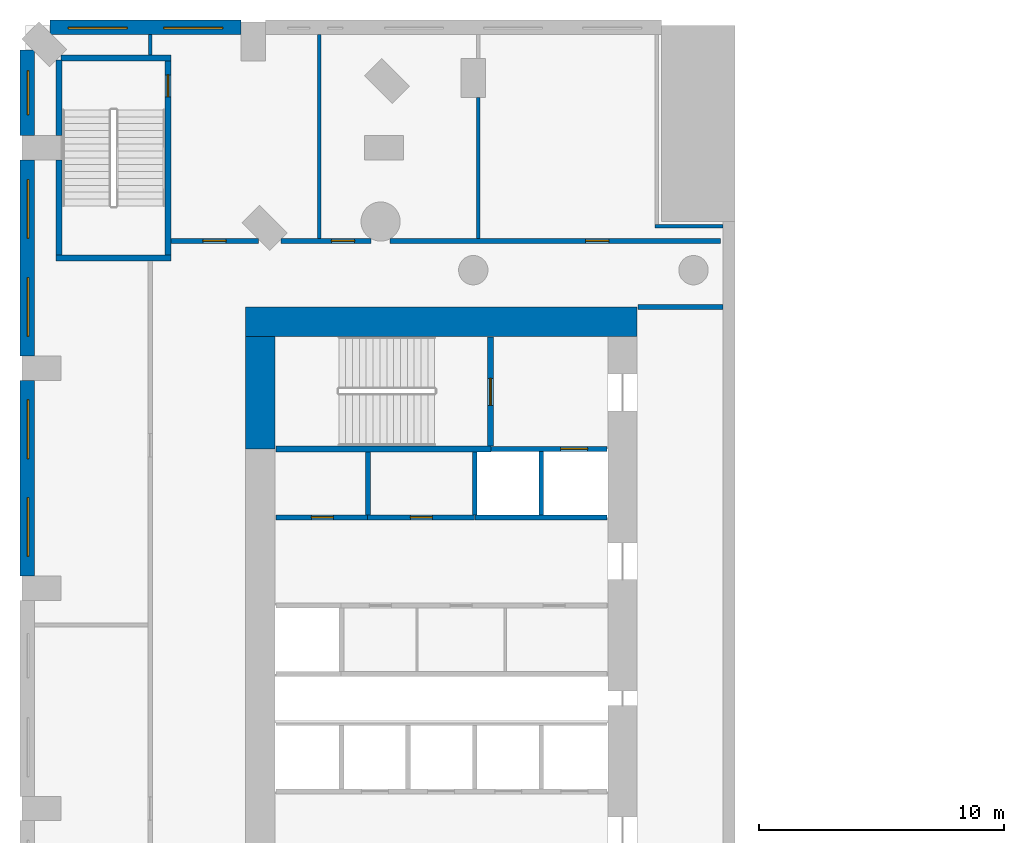
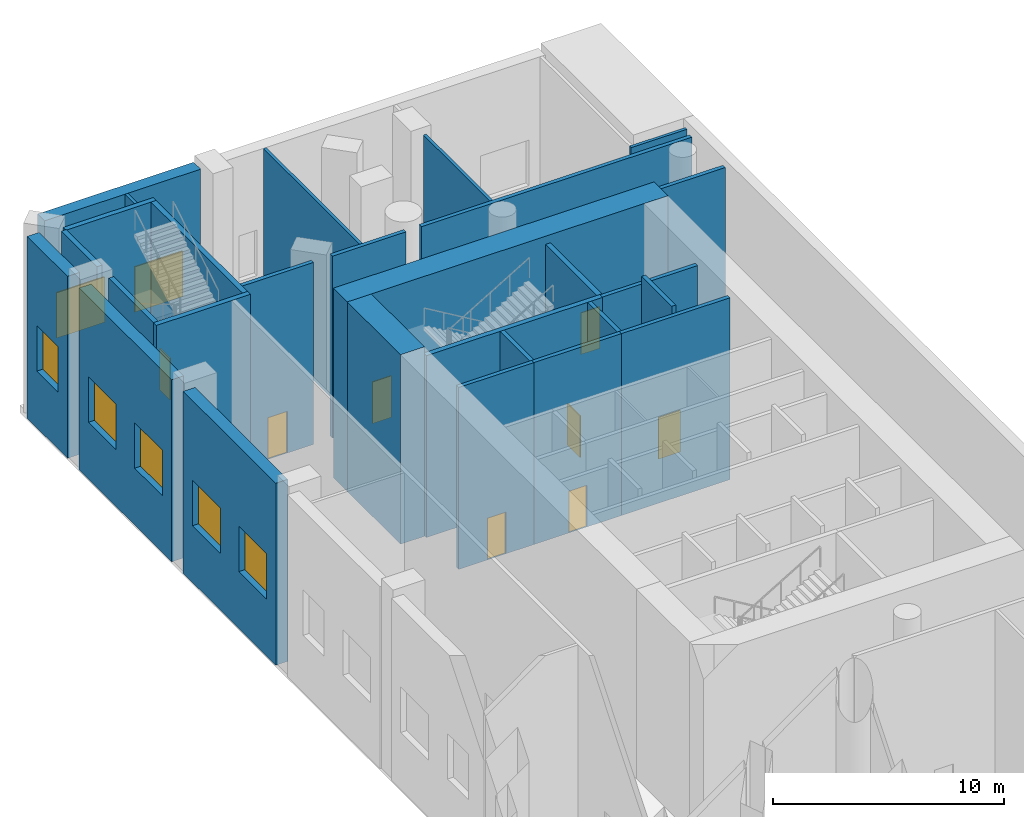
# One storey, part 6 of 17: 28 walls, 8 doors, 7 windows, 15 openings.
"""IFC4 building model written with IfcOpenShell, lengths in metres."""

from ifc_helpers import new_model, si_unit, direction, frame, frame_2d, origin, place, context, subcontext, project, spatial, rectangle, extrude, material, layer, layer_set, type_object, element, fill, save


model = new_model("IFC4")

# Units and contexts
model_context = context("Model", 3, precision=1e-05, world=origin(), true_north=direction((0.0, 1.0)))
body_context = subcontext(model_context, "Body", "Model", "MODEL_VIEW")
ifc_project = project(units=[si_unit("LENGTHUNIT", "METRE"), si_unit("AREAUNIT", "SQUARE_METRE"), si_unit("VOLUMEUNIT", "CUBIC_METRE"), si_unit("PLANEANGLEUNIT", "RADIAN"), si_unit("MASSUNIT", "GRAM", prefix="KILO")], contexts=[model_context])

# Site, building, storey
site_placement = place(None, origin())
site = spatial("IfcSite", under=ifc_project, at=site_placement, CompositionType="ELEMENT")
building_placement = place(site_placement, origin())
building = spatial("IfcBuilding", under=site, at=building_placement, Name="Cypress Arch Tower", CompositionType="ELEMENT")
storey_placement = place(building_placement, frame((0.0, 0.0, 19.0)))
storey = spatial("IfcBuildingStorey", under=building, at=storey_placement, Name="L02", CompositionType="ELEMENT", Elevation=19.0)

# Wall, openings, windows
ifc_material_1 = material(Name="Brick (red buff blend) on blockwork backing", Category="masonry")
ifc_layer_1 = layer(ifc_material_1, 0.60009765625)
ifc_layer_set_1 = layer_set([ifc_layer_1], Name="Brick base wall BW600")
wall_type_1 = type_object("IfcWallType", Name="Brick base wall BW600", PredefinedType="ELEMENTEDWALL", material=ifc_layer_set_1)
wall_1_placement = place(storey_placement, frame((-30.199951171875, 27.425048828125, 0.0), z_axis=(0.0, 0.0, 1.0), x_axis=(-1.0, 0.0, 0.0)))
wall_1 = element("IfcWall", 1, at=wall_1_placement, inside=storey, type_object=wall_type_1, Name="Brick wall L02 P03.2", PredefinedType="ELEMENTEDWALL", context=body_context, shape_type="SweptSolid", body=[
    extrude(rectangle(XDim=7.79296875, YDim=0.60009765625, at=frame_2d((3.896484375, 0.0))), origin(), (0.0, 0.0, 1.0), 9.60009765625),
])
opening_1_placement = place(wall_1_placement, frame((0.748291015625, 0.0, 3.0)))
opening_1 = element("IfcOpeningElement", 2, at=opening_1_placement, cuts=wall_1, Name="Opening W240P", PredefinedType="OPENING", context=body_context, shape_type="SweptSolid", body=[
    extrude(rectangle(XDim=2.39990234375, YDim=2.39990234375, at=frame_2d((1.199951171875, 1.199951171875))), frame((0.0, 0.31005859375, 0.0), z_axis=(0.0, -1.0, 0.0), x_axis=(1.0, 0.0, 0.0)), (0.0, 0.0, 1.0), 0.6201171875),
])
opening_2_placement = place(wall_1_placement, frame((4.644775390625, 0.0, 3.0)))
opening_2 = element("IfcOpeningElement", 3, at=opening_2_placement, cuts=wall_1, Name="Opening W240P", PredefinedType="OPENING", context=body_context, shape_type="SweptSolid", body=[
    extrude(rectangle(XDim=2.39990234375, YDim=2.39990234375, at=frame_2d((1.199951171875, 1.199951171875))), frame((0.0, 0.31005859375, 0.0), z_axis=(0.0, -1.0, 0.0), x_axis=(1.0, 0.0, 0.0)), (0.0, 0.0, 1.0), 0.6201171875),
])
ifc_material_2 = material(Name="Anodised aluminium, bronze finish, clear low-emissivity double glazing", Category="aluminium")
window_type_1 = type_object("IfcWindowType", Name="Window Podium 2400x2400", PartitioningType="SINGLE_PANEL", PredefinedType="WINDOW", material=ifc_material_2)
window_1_placement = place(opening_1_placement, origin())
window_1 = element("IfcWindow", 4, at=window_1_placement, inside=storey, type_object=window_type_1, Name="Window L02 P03.2.1", OverallHeight=2.39990234375, OverallWidth=2.39990234375, PartitioningType="SINGLE_PANEL", PredefinedType="WINDOW", context=body_context, shape_type="SweptSolid", body=[
    extrude(rectangle(XDim=2.39990234375, YDim=2.39990234375, at=frame_2d((1.199951171875, 1.199951171875))), frame((0.0, 0.06005859375, 0.0), z_axis=(0.0, -1.0, 0.0), x_axis=(1.0, 0.0, 0.0)), (0.0, 0.0, 1.0), 0.06005859375),
])
fill(opening_1, window_1)
window_2_placement = place(opening_2_placement, origin())
window_2 = element("IfcWindow", 5, at=window_2_placement, inside=storey, type_object=window_type_1, Name="Window L02 P03.2.2", OverallHeight=2.39990234375, OverallWidth=2.39990234375, PartitioningType="SINGLE_PANEL", PredefinedType="WINDOW", context=body_context, shape_type="SweptSolid", body=[
    extrude(rectangle(XDim=2.39990234375, YDim=2.39990234375, at=frame_2d((1.199951171875, 1.199951171875))), frame((0.0, 0.06005859375, 0.0), z_axis=(0.0, -1.0, 0.0), x_axis=(1.0, 0.0, 0.0)), (0.0, 0.0, 1.0), 0.06005859375),
])
fill(opening_2, window_2)

# Wall, opening, window
wall_2_placement = place(storey_placement, frame((-38.925048828125, 26.492919921875, 0.0), z_axis=(0.0, 0.0, 1.0), x_axis=(0.0, -1.0, 0.0)))
wall_2 = element("IfcWall", 6, at=wall_2_placement, inside=storey, type_object=wall_type_1, Name="Brick wall L02 P04.0", PredefinedType="ELEMENTEDWALL", context=body_context, shape_type="SweptSolid", body=[
    extrude(rectangle(XDim=3.492919921875, YDim=0.60009765625, at=frame_2d((1.74658203125, 0.0))), origin(), (0.0, 0.0, 1.0), 9.60009765625),
])
opening_3_placement = place(wall_2_placement, frame((0.846435546875, 0.0, 3.0)))
opening_3 = element("IfcOpeningElement", 7, at=opening_3_placement, cuts=wall_2, Name="Opening W180P", PredefinedType="OPENING", context=body_context, shape_type="SweptSolid", body=[
    extrude(rectangle(XDim=1.800048828125, YDim=2.39990234375, at=frame_2d((0.89990234375, 1.199951171875))), frame((0.0, 0.31005859375, 0.0), z_axis=(0.0, -1.0, 0.0), x_axis=(1.0, 0.0, 0.0)), (0.0, 0.0, 1.0), 0.6201171875),
])
ifc_material_3 = material(Name="Anodised aluminium, bronze finish, clear low-emissivity double glazing", Category="aluminium")
window_type_2 = type_object("IfcWindowType", Name="Window Podium 1800x2400", PartitioningType="SINGLE_PANEL", PredefinedType="WINDOW", material=ifc_material_3)
window_3_placement = place(opening_3_placement, origin())
window_3 = element("IfcWindow", 8, at=window_3_placement, inside=storey, type_object=window_type_2, Name="Window L02 P04.0.1", OverallHeight=2.39990234375, OverallWidth=1.800048828125, PartitioningType="SINGLE_PANEL", PredefinedType="WINDOW", context=body_context, shape_type="SweptSolid", body=[
    extrude(rectangle(XDim=1.800048828125, YDim=2.39990234375, at=frame_2d((0.89990234375, 1.199951171875))), frame((0.0, 0.06005859375, 0.0), z_axis=(0.0, -1.0, 0.0), x_axis=(1.0, 0.0, 0.0)), (0.0, 0.0, 1.0), 0.06005859375),
])
fill(opening_3, window_3)

# Wall, openings, windows
wall_3_placement = place(storey_placement, frame((-38.925048828125, 22.0, 0.0), z_axis=(0.0, 0.0, 1.0), x_axis=(0.0, -1.0, 0.0)))
wall_3 = element("IfcWall", 9, at=wall_3_placement, inside=storey, type_object=wall_type_1, Name="Brick wall L02 P04.1", PredefinedType="ELEMENTEDWALL", context=body_context, shape_type="SweptSolid", body=[
    extrude(rectangle(XDim=8.0, YDim=0.60009765625, at=frame_2d((4.0, 0.0))), origin(), (0.0, 0.0, 1.0), 9.60009765625),
])
opening_4_placement = place(wall_3_placement, frame((0.800048828125, 0.0, 3.0)))
opening_4 = element("IfcOpeningElement", 10, at=opening_4_placement, cuts=wall_3, Name="Opening W240P", PredefinedType="OPENING", context=body_context, shape_type="SweptSolid", body=[
    extrude(rectangle(XDim=2.39990234375, YDim=2.39990234375, at=frame_2d((1.199951171875, 1.199951171875))), frame((0.0, 0.31005859375, 0.0), z_axis=(0.0, -1.0, 0.0), x_axis=(1.0, 0.0, 0.0)), (0.0, 0.0, 1.0), 0.6201171875),
])
opening_5_placement = place(wall_3_placement, frame((4.800048828125, 0.0, 3.0)))
opening_5 = element("IfcOpeningElement", 11, at=opening_5_placement, cuts=wall_3, Name="Opening W240P", PredefinedType="OPENING", context=body_context, shape_type="SweptSolid", body=[
    extrude(rectangle(XDim=2.39990234375, YDim=2.39990234375, at=frame_2d((1.199951171875, 1.199951171875))), frame((0.0, 0.31005859375, 0.0), z_axis=(0.0, -1.0, 0.0), x_axis=(1.0, 0.0, 0.0)), (0.0, 0.0, 1.0), 0.6201171875),
])
window_4_placement = place(opening_4_placement, origin())
window_4 = element("IfcWindow", 12, at=window_4_placement, inside=storey, type_object=window_type_1, Name="Window L02 P04.1.1", OverallHeight=2.39990234375, OverallWidth=2.39990234375, PartitioningType="SINGLE_PANEL", PredefinedType="WINDOW", context=body_context, shape_type="SweptSolid", body=[
    extrude(rectangle(XDim=2.39990234375, YDim=2.39990234375, at=frame_2d((1.199951171875, 1.199951171875))), frame((0.0, 0.06005859375, 0.0), z_axis=(0.0, -1.0, 0.0), x_axis=(1.0, 0.0, 0.0)), (0.0, 0.0, 1.0), 0.06005859375),
])
fill(opening_4, window_4)
window_5_placement = place(opening_5_placement, origin())
window_5 = element("IfcWindow", 13, at=window_5_placement, inside=storey, type_object=window_type_1, Name="Window L02 P04.1.2", OverallHeight=2.39990234375, OverallWidth=2.39990234375, PartitioningType="SINGLE_PANEL", PredefinedType="WINDOW", context=body_context, shape_type="SweptSolid", body=[
    extrude(rectangle(XDim=2.39990234375, YDim=2.39990234375, at=frame_2d((1.199951171875, 1.199951171875))), frame((0.0, 0.06005859375, 0.0), z_axis=(0.0, -1.0, 0.0), x_axis=(1.0, 0.0, 0.0)), (0.0, 0.0, 1.0), 0.06005859375),
])
fill(opening_5, window_5)

wall_4_placement = place(storey_placement, frame((-38.925048828125, 13.0, 0.0), z_axis=(0.0, 0.0, 1.0), x_axis=(0.0, -1.0, 0.0)))
wall_4 = element("IfcWall", 14, at=wall_4_placement, inside=storey, type_object=wall_type_1, Name="Brick wall L02 P04.2", PredefinedType="ELEMENTEDWALL", context=body_context, shape_type="SweptSolid", body=[
    extrude(rectangle(XDim=8.0, YDim=0.60009765625, at=frame_2d((4.0, 0.0))), origin(), (0.0, 0.0, 1.0), 9.60009765625),
])
opening_6_placement = place(wall_4_placement, frame((0.800048828125, 0.0, 3.0)))
opening_6 = element("IfcOpeningElement", 15, at=opening_6_placement, cuts=wall_4, Name="Opening W240P", PredefinedType="OPENING", context=body_context, shape_type="SweptSolid", body=[
    extrude(rectangle(XDim=2.39990234375, YDim=2.39990234375, at=frame_2d((1.199951171875, 1.199951171875))), frame((0.0, 0.31005859375, 0.0), z_axis=(0.0, -1.0, 0.0), x_axis=(1.0, 0.0, 0.0)), (0.0, 0.0, 1.0), 0.6201171875),
])
opening_7_placement = place(wall_4_placement, frame((4.800048828125, 0.0, 3.0)))
opening_7 = element("IfcOpeningElement", 16, at=opening_7_placement, cuts=wall_4, Name="Opening W240P", PredefinedType="OPENING", context=body_context, shape_type="SweptSolid", body=[
    extrude(rectangle(XDim=2.39990234375, YDim=2.39990234375, at=frame_2d((1.199951171875, 1.199951171875))), frame((0.0, 0.31005859375, 0.0), z_axis=(0.0, -1.0, 0.0), x_axis=(1.0, 0.0, 0.0)), (0.0, 0.0, 1.0), 0.6201171875),
])
window_6_placement = place(opening_6_placement, origin())
window_6 = element("IfcWindow", 17, at=window_6_placement, inside=storey, type_object=window_type_1, Name="Window L02 P04.2.1", OverallHeight=2.39990234375, OverallWidth=2.39990234375, PartitioningType="SINGLE_PANEL", PredefinedType="WINDOW", context=body_context, shape_type="SweptSolid", body=[
    extrude(rectangle(XDim=2.39990234375, YDim=2.39990234375, at=frame_2d((1.199951171875, 1.199951171875))), frame((0.0, 0.06005859375, 0.0), z_axis=(0.0, -1.0, 0.0), x_axis=(1.0, 0.0, 0.0)), (0.0, 0.0, 1.0), 0.06005859375),
])
fill(opening_6, window_6)
window_7_placement = place(opening_7_placement, origin())
window_7 = element("IfcWindow", 18, at=window_7_placement, inside=storey, type_object=window_type_1, Name="Window L02 P04.2.2", OverallHeight=2.39990234375, OverallWidth=2.39990234375, PartitioningType="SINGLE_PANEL", PredefinedType="WINDOW", context=body_context, shape_type="SweptSolid", body=[
    extrude(rectangle(XDim=2.39990234375, YDim=2.39990234375, at=frame_2d((1.199951171875, 1.199951171875))), frame((0.0, 0.06005859375, 0.0), z_axis=(0.0, -1.0, 0.0), x_axis=(1.0, 0.0, 0.0)), (0.0, 0.0, 1.0), 0.06005859375),
])
fill(opening_7, window_7)

# Walls
ifc_material_4 = material(Name="Concrete C80/95", Category="concrete")
ifc_layer_2 = layer(ifc_material_4, 1.199951171875)
ifc_layer_set_2 = layer_set([ifc_layer_2], Name="Core wall CW1200 C80/95")
wall_type_2 = type_object("IfcWallType", Name="Core wall CW1200 C80/95", PredefinedType="SHEAR", material=ifc_layer_set_2)
wall_5_placement = place(storey_placement, frame((-30.0, 15.39990234375, 0.0), z_axis=(0.0, 0.0, 1.0), x_axis=(1.0, 0.0, 0.0)))
element("IfcWall", 19, at=wall_5_placement, inside=storey, type_object=wall_type_2, Name="Core wall", PredefinedType="SHEAR", context=body_context, shape_type="SweptSolid", body=[
    extrude(rectangle(XDim=16.0, YDim=1.199951171875, at=frame_2d((8.0, 0.0))), origin(), (0.0, 0.0, 1.0), 10.0),
])
wall_6_placement = place(storey_placement, frame((-29.39990234375, 10.199951171875, 0.0), z_axis=(0.0, 0.0, 1.0), x_axis=(0.0, 1.0, 0.0)))
element("IfcWall", 20, at=wall_6_placement, inside=storey, type_object=wall_type_2, Name="Core wall", PredefinedType="SHEAR", context=body_context, shape_type="SweptSolid", body=[
    extrude(rectangle(XDim=4.60009765625, YDim=1.199951171875, at=frame_2d((2.300048828125, 0.0))), origin(), (0.0, 0.0, 1.0), 10.0),
])

# Wall, opening, door
ifc_material_5 = material(Name="Concrete blockwork, plastered, rated", Category="masonry")
ifc_layer_3 = layer(ifc_material_5, 0.199951171875)
ifc_layer_set_3 = layer_set([ifc_layer_3], Name="Corridor wall FW200")
wall_type_3 = type_object("IfcWallType", Name="Corridor wall FW200", PredefinedType="PARTITIONING", material=ifc_layer_set_3)
wall_7_placement = place(storey_placement, frame((-33.050048828125, 18.699951171875, 0.0), z_axis=(0.0, 0.0, 1.0), x_axis=(1.0, 0.0, 0.0)))
wall_7 = element("IfcWall", 21, at=wall_7_placement, inside=storey, type_object=wall_type_3, Name="Corridor wall", PredefinedType="PARTITIONING", context=body_context, shape_type="SweptSolid", body=[
    extrude(rectangle(XDim=3.56298828125, YDim=0.199951171875, at=frame_2d((1.781494140625, 0.0))), origin(), (0.0, 0.0, 1.0), 9.597900390625),
])
opening_8_placement = place(wall_7_placement, frame((1.300048828125, 0.0, 0.0)))
opening_8 = element("IfcOpeningElement", 22, at=opening_8_placement, cuts=wall_7, Name="Opening D02", PredefinedType="OPENING", context=body_context, shape_type="SweptSolid", body=[
    extrude(rectangle(XDim=0.949951171875, YDim=2.199951171875, at=frame_2d((0.47509765625, 1.10009765625))), frame((0.0, 0.10986328125, 0.0), z_axis=(0.0, -1.0, 0.0), x_axis=(1.0, 0.0, 0.0)), (0.0, 0.0, 1.0), 0.219970703125),
])
ifc_material_6 = material(Name="Timber flush door, fire resisting", Category="wood")
door_type_1 = type_object("IfcDoorType", Name="Room door D02 950x2200", OperationType="SINGLE_SWING_LEFT", PredefinedType="DOOR", material=ifc_material_6)
door_1_placement = place(opening_8_placement, origin())
door_1 = element("IfcDoor", 23, at=door_1_placement, inside=storey, type_object=door_type_1, Name="Room door", OperationType="SINGLE_SWING_RIGHT", OverallHeight=2.199951171875, OverallWidth=0.949951171875, PredefinedType="DOOR", context=body_context, shape_type="SweptSolid", body=[
    extrude(rectangle(XDim=0.949951171875, YDim=2.199951171875, at=frame_2d((0.47509765625, 1.10009765625))), frame((0.0, 0.02490234375, 0.0), z_axis=(0.0, -1.0, 0.0), x_axis=(1.0, 0.0, 0.0)), (0.0, 0.0, 1.0), 0.050048828125),
])
fill(opening_8, door_1)

wall_8_placement = place(storey_placement, frame((-28.550048828125, 18.699951171875, 0.0), z_axis=(0.0, 0.0, 1.0), x_axis=(1.0, 0.0, 0.0)))
wall_8 = element("IfcWall", 24, at=wall_8_placement, inside=storey, type_object=wall_type_3, Name="Corridor wall", PredefinedType="PARTITIONING", context=body_context, shape_type="SweptSolid", body=[
    extrude(rectangle(XDim=3.678955078125, YDim=0.199951171875, at=frame_2d((1.83935546875, 0.0))), origin(), (0.0, 0.0, 1.0), 9.597900390625),
])
opening_9_placement = place(wall_8_placement, frame((2.050048828125, 0.0, 0.0)))
opening_9 = element("IfcOpeningElement", 25, at=opening_9_placement, cuts=wall_8, Name="Opening D02", PredefinedType="OPENING", context=body_context, shape_type="SweptSolid", body=[
    extrude(rectangle(XDim=0.949951171875, YDim=2.199951171875, at=frame_2d((0.47509765625, 1.10009765625))), frame((0.0, 0.10986328125, 0.0), z_axis=(0.0, -1.0, 0.0), x_axis=(1.0, 0.0, 0.0)), (0.0, 0.0, 1.0), 0.219970703125),
])
door_2_placement = place(opening_9_placement, origin())
door_2 = element("IfcDoor", 26, at=door_2_placement, inside=storey, type_object=door_type_1, Name="Room door", OperationType="SINGLE_SWING_LEFT", OverallHeight=2.199951171875, OverallWidth=0.949951171875, PredefinedType="DOOR", context=body_context, shape_type="SweptSolid", body=[
    extrude(rectangle(XDim=0.949951171875, YDim=2.199951171875, at=frame_2d((0.47509765625, 1.10009765625))), frame((0.0, 0.02490234375, 0.0), z_axis=(0.0, -1.0, 0.0), x_axis=(1.0, 0.0, 0.0)), (0.0, 0.0, 1.0), 0.050048828125),
])
fill(opening_9, door_2)

wall_9_placement = place(storey_placement, frame((-24.104736328125, 18.699951171875, 0.0), z_axis=(0.0, 0.0, 1.0), x_axis=(1.0, 0.0, 0.0)))
wall_9 = element("IfcWall", 27, at=wall_9_placement, inside=storey, type_object=wall_type_3, Name="Corridor wall", PredefinedType="PARTITIONING", context=body_context, shape_type="SweptSolid", body=[
    extrude(rectangle(XDim=13.504638671875, YDim=0.199951171875, at=frame_2d((6.75244140625, 0.0))), origin(), (0.0, 0.0, 1.0), 9.597900390625),
])
opening_10_placement = place(wall_9_placement, frame((8.0, 0.0, 0.0)))
opening_10 = element("IfcOpeningElement", 28, at=opening_10_placement, cuts=wall_9, Name="Opening D02", PredefinedType="OPENING", context=body_context, shape_type="SweptSolid", body=[
    extrude(rectangle(XDim=0.949951171875, YDim=2.199951171875, at=frame_2d((0.47509765625, 1.10009765625))), frame((0.0, 0.10986328125, 0.0), z_axis=(0.0, -1.0, 0.0), x_axis=(1.0, 0.0, 0.0)), (0.0, 0.0, 1.0), 0.219970703125),
])
door_3_placement = place(opening_10_placement, origin())
door_3 = element("IfcDoor", 29, at=door_3_placement, inside=storey, type_object=door_type_1, Name="Room door", OperationType="SINGLE_SWING_RIGHT", OverallHeight=2.199951171875, OverallWidth=0.949951171875, PredefinedType="DOOR", context=body_context, shape_type="SweptSolid", body=[
    extrude(rectangle(XDim=0.949951171875, YDim=2.199951171875, at=frame_2d((0.47509765625, 1.10009765625))), frame((0.0, 0.02490234375, 0.0), z_axis=(0.0, -1.0, 0.0), x_axis=(1.0, 0.0, 0.0)), (0.0, 0.0, 1.0), 0.050048828125),
])
fill(opening_10, door_3)

wall_10_placement = place(storey_placement, frame((-25.02001953125, 7.39990234375, 0.0), z_axis=(0.0, 0.0, 1.0), x_axis=(1.0, 0.0, 0.0)))
wall_10 = element("IfcWall", 30, at=wall_10_placement, inside=storey, type_object=wall_type_3, Name="Corridor wall", PredefinedType="PARTITIONING", context=body_context, shape_type="SweptSolid", body=[
    extrude(rectangle(XDim=4.380126953125, YDim=0.199951171875, at=frame_2d((2.18994140625, 0.0))), origin(), (0.0, 0.0, 1.0), 9.597900390625),
])
opening_11_placement = place(wall_10_placement, frame((1.75, 0.0, 0.0)))
opening_11 = element("IfcOpeningElement", 31, at=opening_11_placement, cuts=wall_10, Name="Opening D05", PredefinedType="OPENING", context=body_context, shape_type="SweptSolid", body=[
    extrude(rectangle(XDim=0.89990234375, YDim=2.199951171875, at=frame_2d((0.449951171875, 1.10009765625))), frame((0.0, 0.10986328125, 0.0), z_axis=(0.0, -1.0, 0.0), x_axis=(1.0, 0.0, 0.0)), (0.0, 0.0, 1.0), 0.219970703125),
])
ifc_material_7 = material(Name="Timber flush door", Category="wood")
door_type_2 = type_object("IfcDoorType", Name="Service door D05 900x2200", OperationType="SINGLE_SWING_LEFT", PredefinedType="DOOR", material=ifc_material_7)
door_4_placement = place(opening_11_placement, origin())
door_4 = element("IfcDoor", 32, at=door_4_placement, inside=storey, type_object=door_type_2, Name="Service door", OperationType="SINGLE_SWING_RIGHT", OverallHeight=2.199951171875, OverallWidth=0.89990234375, PredefinedType="DOOR", context=body_context, shape_type="SweptSolid", body=[
    extrude(rectangle(XDim=0.89990234375, YDim=2.199951171875, at=frame_2d((0.449951171875, 1.10009765625))), frame((0.0, 0.02490234375, 0.0), z_axis=(0.0, -1.0, 0.0), x_axis=(1.0, 0.0, 0.0)), (0.0, 0.0, 1.0), 0.050048828125),
])
fill(opening_11, door_4)

# Walls
wall_11_placement = place(storey_placement, frame((-13.969970703125, 16.0, 0.0), z_axis=(0.0, 0.0, 1.0), x_axis=(1.0, 0.0, 0.0)))
element("IfcWall", 33, at=wall_11_placement, inside=storey, type_object=wall_type_3, Name="Corridor wall", PredefinedType="PARTITIONING", context=body_context, shape_type="SweptSolid", body=[
    extrude(rectangle(XDim=3.469970703125, YDim=0.199951171875, at=frame_2d((1.73486328125, 0.0))), origin(), (0.0, 0.0, 1.0), 9.597900390625),
])
ifc_material_8 = material(Name="Blockwork, plastered both sides", Category="masonry")
ifc_layer_4 = layer(ifc_material_8, 0.14990234375)
ifc_layer_set_4 = layer_set([ifc_layer_4], Name="Partition PW150")
wall_type_4 = type_object("IfcWallType", Name="Partition PW150", PredefinedType="PARTITIONING", material=ifc_layer_set_4)
wall_12_placement = place(storey_placement, frame((-33.89990234375, 26.300048828125, 0.0), z_axis=(0.0, 0.0, 1.0), x_axis=(0.0, 1.0, 0.0)))
element("IfcWall", 34, at=wall_12_placement, inside=storey, type_object=wall_type_4, Name="Partition", PredefinedType="PARTITIONING", context=body_context, shape_type="SweptSolid", body=[
    extrude(rectangle(XDim=0.824951171875, YDim=0.14990234375, at=frame_2d((0.41259765625, 0.0))), origin(), (0.0, 0.0, 1.0), 9.597900390625),
])
wall_13_placement = place(storey_placement, frame((-27.0, 18.800048828125, 0.0), z_axis=(0.0, 0.0, 1.0), x_axis=(0.0, 1.0, 0.0)))
element("IfcWall", 35, at=wall_13_placement, inside=storey, type_object=wall_type_4, Name="Partition", PredefinedType="PARTITIONING", context=body_context, shape_type="SweptSolid", body=[
    extrude(rectangle(XDim=8.324951171875, YDim=0.14990234375, at=frame_2d((4.16259765625, 0.0))), origin(), (0.0, 0.0, 1.0), 9.597900390625),
])
wall_14_placement = place(storey_placement, frame((-20.5, 18.800048828125, 0.0), z_axis=(0.0, 0.0, 1.0), x_axis=(0.0, 1.0, 0.0)))
element("IfcWall", 36, at=wall_14_placement, inside=storey, type_object=wall_type_4, Name="Partition", PredefinedType="PARTITIONING", context=body_context, shape_type="SweptSolid", body=[
    extrude(rectangle(XDim=5.75, YDim=0.14990234375, at=frame_2d((2.875, 0.0))), origin(), (0.0, 0.0, 1.0), 9.597900390625),
])
wall_15_placement = place(storey_placement, frame((-13.27392578125, 19.300048828125, 0.0), z_axis=(0.0, 0.0, 1.0), x_axis=(1.0, 0.0, 0.0)))
element("IfcWall", 37, at=wall_15_placement, inside=storey, type_object=wall_type_4, Name="Partition", PredefinedType="PARTITIONING", context=body_context, shape_type="SweptSolid", body=[
    extrude(rectangle(XDim=2.77392578125, YDim=0.14990234375, at=frame_2d((1.386962890625, 0.0))), origin(), (0.0, 0.0, 1.0), 9.597900390625),
])

# Wall, opening, door
ifc_material_9 = material(Name="Reinforced blockwork, plastered, rated", Category="masonry")
ifc_layer_5 = layer(ifc_material_9, 0.199951171875)
ifc_layer_set_5 = layer_set([ifc_layer_5], Name="Plant and riser wall PL200")
wall_type_5 = type_object("IfcWallType", Name="Plant and riser wall PL200", PredefinedType="PARTITIONING", material=ifc_layer_set_5)
wall_16_placement = place(storey_placement, frame((-28.77001953125, 7.39990234375, 0.0), z_axis=(0.0, 0.0, 1.0), x_axis=(1.0, 0.0, 0.0)))
wall_16 = element("IfcWall", 38, at=wall_16_placement, inside=storey, type_object=wall_type_5, Name="Plant and riser wall", PredefinedType="PARTITIONING", context=body_context, shape_type="SweptSolid", body=[
    extrude(rectangle(XDim=3.75, YDim=0.199951171875, at=frame_2d((1.875, 0.0))), origin(), (0.0, 0.0, 1.0), 9.597900390625),
])
opening_12_placement = place(wall_16_placement, frame((1.449951171875, 0.0, 0.0)))
opening_12 = element("IfcOpeningElement", 39, at=opening_12_placement, cuts=wall_16, Name="Opening D05", PredefinedType="OPENING", context=body_context, shape_type="SweptSolid", body=[
    extrude(rectangle(XDim=0.89990234375, YDim=2.199951171875, at=frame_2d((0.449951171875, 1.10009765625))), frame((0.0, 0.10986328125, 0.0), z_axis=(0.0, -1.0, 0.0), x_axis=(1.0, 0.0, 0.0)), (0.0, 0.0, 1.0), 0.219970703125),
])
door_5_placement = place(opening_12_placement, origin())
door_5 = element("IfcDoor", 40, at=door_5_placement, inside=storey, type_object=door_type_2, Name="Service door", OperationType="SINGLE_SWING_RIGHT", OverallHeight=2.199951171875, OverallWidth=0.89990234375, PredefinedType="DOOR", context=body_context, shape_type="SweptSolid", body=[
    extrude(rectangle(XDim=0.89990234375, YDim=2.199951171875, at=frame_2d((0.449951171875, 1.10009765625))), frame((0.0, 0.02490234375, 0.0), z_axis=(0.0, -1.0, 0.0), x_axis=(1.0, 0.0, 0.0)), (0.0, 0.0, 1.0), 0.050048828125),
])
fill(opening_12, door_5)

# Walls
wall_17_placement = place(storey_placement, frame((-25.0, 7.5, 0.0), z_axis=(0.0, 0.0, 1.0), x_axis=(0.0, 1.0, 0.0)))
element("IfcWall", 41, at=wall_17_placement, inside=storey, type_object=wall_type_5, Name="Plant and riser wall", PredefinedType="PARTITIONING", context=body_context, shape_type="SweptSolid", body=[
    extrude(rectangle(XDim=2.574951171875, YDim=0.199951171875, at=frame_2d((1.28759765625, 0.0))), origin(), (0.0, 0.0, 1.0), 9.597900390625),
])
ifc_material_10 = material(Name="Concrete C50/60", Category="concrete")
ifc_layer_6 = layer(ifc_material_10, 0.199951171875)
ifc_layer_set_6 = layer_set([ifc_layer_6], Name="Shaft wall SH200")
wall_type_6 = type_object("IfcWallType", Name="Shaft wall SH200", PredefinedType="SHEAR", material=ifc_layer_set_6)
wall_18_placement = place(storey_placement, frame((-20.639892578125, 7.5, 0.0), z_axis=(0.0, 0.0, 1.0), x_axis=(0.0, 1.0, 0.0)))
element("IfcWall", 42, at=wall_18_placement, inside=storey, type_object=wall_type_6, Name="Shaft wall", PredefinedType="SHEAR", context=body_context, shape_type="SweptSolid", body=[
    extrude(rectangle(XDim=2.574951171875, YDim=0.199951171875, at=frame_2d((1.28759765625, 0.0))), origin(), (0.0, 0.0, 1.0), 9.597900390625),
])
wall_19_placement = place(storey_placement, frame((-20.639892578125, 7.39990234375, 0.0), z_axis=(0.0, 0.0, 1.0), x_axis=(1.0, 0.0, 0.0)))
element("IfcWall", 43, at=wall_19_placement, inside=storey, type_object=wall_type_6, Name="Shaft wall", PredefinedType="SHEAR", context=body_context, shape_type="SweptSolid", body=[
    extrude(rectangle(XDim=5.409912109375, YDim=0.199951171875, at=frame_2d((2.705078125, 0.0))), origin(), (0.0, 0.0, 1.0), 9.597900390625),
])

# Wall, opening, door
wall_20_placement = place(storey_placement, frame((-19.97998046875, 10.199951171875, 0.0), z_axis=(0.0, 0.0, 1.0), x_axis=(1.0, 0.0, 0.0)))
wall_20 = element("IfcWall", 44, at=wall_20_placement, inside=storey, type_object=wall_type_6, Name="Shaft wall", PredefinedType="SHEAR", context=body_context, shape_type="SweptSolid", body=[
    extrude(rectangle(XDim=4.75, YDim=0.199951171875, at=frame_2d((2.375, 0.0))), origin(), (0.0, 0.0, 1.0), 9.597900390625),
])
opening_13_placement = place(wall_20_placement, frame((2.85009765625, 0.0, 0.0)))
opening_13 = element("IfcOpeningElement", 45, at=opening_13_placement, cuts=wall_20, Name="Opening LD-FL2", PredefinedType="OPENING", context=body_context, shape_type="SweptSolid", body=[
    extrude(rectangle(XDim=1.10009765625, YDim=2.199951171875, at=frame_2d((0.550048828125, 1.10009765625))), frame((0.0, 0.10986328125, 0.0), z_axis=(0.0, -1.0, 0.0), x_axis=(1.0, 0.0, 0.0)), (0.0, 0.0, 1.0), 0.219970703125),
])
ifc_material_11 = material(Name="Stainless steel centre-opening landing door, rated", Category="steel")
door_type_3 = type_object("IfcDoorType", Name="Lift landing door LD 1100x2200", OperationType="DOUBLE_DOOR_SLIDING", PredefinedType="DOOR", material=ifc_material_11)
door_6_placement = place(opening_13_placement, origin())
door_6 = element("IfcDoor", 46, at=door_6_placement, inside=storey, type_object=door_type_3, Name="Lift landing doors FL2", OperationType="DOUBLE_DOOR_SLIDING", OverallHeight=2.199951171875, OverallWidth=1.10009765625, PredefinedType="DOOR", context=body_context, shape_type="SweptSolid", body=[
    extrude(rectangle(XDim=1.10009765625, YDim=2.199951171875, at=frame_2d((0.550048828125, 1.10009765625))), frame((0.0, 0.02490234375, 0.0), z_axis=(0.0, -1.0, 0.0), x_axis=(1.0, 0.0, 0.0)), (0.0, 0.0, 1.0), 0.050048828125),
])
fill(opening_13, door_6)

# Walls
wall_21_placement = place(storey_placement, frame((-17.919921875, 7.5, 0.0), z_axis=(0.0, 0.0, 1.0), x_axis=(0.0, 1.0, 0.0)))
element("IfcWall", 47, at=wall_21_placement, inside=storey, type_object=wall_type_6, Name="Shaft wall", PredefinedType="SHEAR", context=body_context, shape_type="SweptSolid", body=[
    extrude(rectangle(XDim=2.60009765625, YDim=0.199951171875, at=frame_2d((1.300048828125, 0.0))), origin(), (0.0, 0.0, 1.0), 10.0),
])
ifc_material_12 = material(Name="Concrete C50/60", Category="concrete")
ifc_layer_7 = layer(ifc_material_12, 0.25)
ifc_layer_set_7 = layer_set([ifc_layer_7], Name="Stair enclosure wall SW250")
wall_type_7 = type_object("IfcWallType", Name="Stair enclosure wall SW250", PredefinedType="SHEAR", material=ifc_layer_set_7)
wall_22_placement = place(storey_placement, frame((-37.625, 18.1298828125, 0.0), z_axis=(0.0, 0.0, 1.0), x_axis=(0.0, 1.0, 0.0)))
element("IfcWall", 48, at=wall_22_placement, inside=storey, type_object=wall_type_7, Name="Stair enclosure wall", PredefinedType="SHEAR", context=body_context, shape_type="SweptSolid", body=[
    extrude(rectangle(XDim=3.8701171875, YDim=0.25, at=frame_2d((1.93505859375, 0.0))), origin(), (0.0, 0.0, 1.0), 9.60009765625),
])
wall_23_placement = place(storey_placement, frame((-37.625, 23.0, 0.0), z_axis=(0.0, 0.0, 1.0), x_axis=(0.0, 1.0, 0.0)))
element("IfcWall", 49, at=wall_23_placement, inside=storey, type_object=wall_type_7, Name="Stair enclosure wall", PredefinedType="SHEAR", context=body_context, shape_type="SweptSolid", body=[
    extrude(rectangle(XDim=3.09521484375, YDim=0.25, at=frame_2d((1.547607421875, 0.0))), origin(), (0.0, 0.0, 1.0), 9.60009765625),
])
wall_24_placement = place(storey_placement, frame((-37.75, 18.0048828125, 0.0), z_axis=(0.0, 0.0, 1.0), x_axis=(1.0, 0.0, 0.0)))
element("IfcWall", 50, at=wall_24_placement, inside=storey, type_object=wall_type_7, Name="Stair enclosure wall", PredefinedType="SHEAR", context=body_context, shape_type="SweptSolid", body=[
    extrude(rectangle(XDim=4.699951171875, YDim=0.25, at=frame_2d((2.35009765625, 0.0))), origin(), (0.0, 0.0, 1.0), 9.60009765625),
])
wall_25_placement = place(storey_placement, frame((-37.545166015625, 26.175048828125, 0.0), z_axis=(0.0, 0.0, 1.0), x_axis=(1.0, 0.0, 0.0)))
element("IfcWall", 51, at=wall_25_placement, inside=storey, type_object=wall_type_7, Name="Stair enclosure wall", PredefinedType="SHEAR", context=body_context, shape_type="SweptSolid", body=[
    extrude(rectangle(XDim=4.4951171875, YDim=0.25, at=frame_2d((2.24755859375, 0.0))), origin(), (0.0, 0.0, 1.0), 9.60009765625),
])

# Wall, opening, door
wall_26_placement = place(storey_placement, frame((-33.175048828125, 18.1298828125, 0.0), z_axis=(0.0, 0.0, 1.0), x_axis=(0.0, 1.0, 0.0)))
wall_26 = element("IfcWall", 52, at=wall_26_placement, inside=storey, type_object=wall_type_7, Name="Stair enclosure wall", PredefinedType="SHEAR", context=body_context, shape_type="SweptSolid", body=[
    extrude(rectangle(XDim=7.920166015625, YDim=0.25, at=frame_2d((3.9599609375, 0.0))), origin(), (0.0, 0.0, 1.0), 9.60009765625),
])
opening_14_placement = place(wall_26_placement, frame((6.449951171875, 0.0, 0.0)))
opening_14 = element("IfcOpeningElement", 53, at=opening_14_placement, cuts=wall_26, Name="Opening D15", PredefinedType="OPENING", context=body_context, shape_type="SweptSolid", body=[
    extrude(rectangle(XDim=0.89990234375, YDim=2.199951171875, at=frame_2d((0.449951171875, 1.10009765625))), frame((0.0, 0.135009765625, 0.0), z_axis=(0.0, -1.0, 0.0), x_axis=(1.0, 0.0, 0.0)), (0.0, 0.0, 1.0), 0.27001953125),
])
ifc_material_13 = material(Name="Steel door, fire resisting, panic bar", Category="steel")
door_type_4 = type_object("IfcDoorType", Name="Stair door D15 900x2200", OperationType="SINGLE_SWING_LEFT", PredefinedType="DOOR", material=ifc_material_13)
door_7_placement = place(opening_14_placement, origin())
door_7 = element("IfcDoor", 54, at=door_7_placement, inside=storey, type_object=door_type_4, Name="Stair door", OperationType="SINGLE_SWING_RIGHT", OverallHeight=2.199951171875, OverallWidth=0.89990234375, PredefinedType="DOOR", context=body_context, shape_type="SweptSolid", body=[
    extrude(rectangle(XDim=0.89990234375, YDim=2.199951171875, at=frame_2d((0.449951171875, 1.10009765625))), frame((0.0, 0.02490234375, 0.0), z_axis=(0.0, -1.0, 0.0), x_axis=(1.0, 0.0, 0.0)), (0.0, 0.0, 1.0), 0.050048828125),
])
fill(opening_14, door_7)

# Wall
wall_27_placement = place(storey_placement, frame((-28.77001953125, 10.199951171875, 0.0), z_axis=(0.0, 0.0, 1.0), x_axis=(1.0, 0.0, 0.0)))
element("IfcWall", 55, at=wall_27_placement, inside=storey, type_object=wall_type_7, Name="Stair enclosure wall", PredefinedType="SHEAR", context=body_context, shape_type="SweptSolid", body=[
    extrude(rectangle(XDim=8.7900390625, YDim=0.25, at=frame_2d((4.39501953125, 0.0))), origin(), (0.0, 0.0, 1.0), 9.597900390625),
])

# Wall, opening, door
wall_28_placement = place(storey_placement, frame((-20.0, 10.324951171875, 0.0), z_axis=(0.0, 0.0, 1.0), x_axis=(0.0, 1.0, 0.0)))
wall_28 = element("IfcWall", 56, at=wall_28_placement, inside=storey, type_object=wall_type_7, Name="Stair enclosure wall", PredefinedType="SHEAR", context=body_context, shape_type="SweptSolid", body=[
    extrude(rectangle(XDim=4.445068359375, YDim=0.25, at=frame_2d((2.22265625, 0.0))), origin(), (0.0, 0.0, 1.0), 9.597900390625),
])
opening_15_placement = place(wall_28_placement, frame((1.64990234375, 0.0, 0.0)))
opening_15 = element("IfcOpeningElement", 57, at=opening_15_placement, cuts=wall_28, Name="Opening D06", PredefinedType="OPENING", context=body_context, shape_type="SweptSolid", body=[
    extrude(rectangle(XDim=1.10009765625, YDim=2.199951171875, at=frame_2d((0.550048828125, 1.10009765625))), frame((0.0, 0.135009765625, 0.0), z_axis=(0.0, -1.0, 0.0), x_axis=(1.0, 0.0, 0.0)), (0.0, 0.0, 1.0), 0.27001953125),
])
ifc_material_14 = material(Name="Steel door, fire resisting, panic bar", Category="steel")
door_type_5 = type_object("IfcDoorType", Name="Stair door D06 1100x2200", OperationType="SINGLE_SWING_LEFT", PredefinedType="DOOR", material=ifc_material_14)
door_8_placement = place(opening_15_placement, origin())
door_8 = element("IfcDoor", 58, at=door_8_placement, inside=storey, type_object=door_type_5, Name="Stair door", OperationType="SINGLE_SWING_LEFT", OverallHeight=2.199951171875, OverallWidth=1.10009765625, PredefinedType="DOOR", context=body_context, shape_type="SweptSolid", body=[
    extrude(rectangle(XDim=1.10009765625, YDim=2.199951171875, at=frame_2d((0.550048828125, 1.10009765625))), frame((0.0, 0.02490234375, 0.0), z_axis=(0.0, -1.0, 0.0), x_axis=(1.0, 0.0, 0.0)), (0.0, 0.0, 1.0), 0.050048828125),
])
fill(opening_15, door_8)

save(model, "model.ifc")
